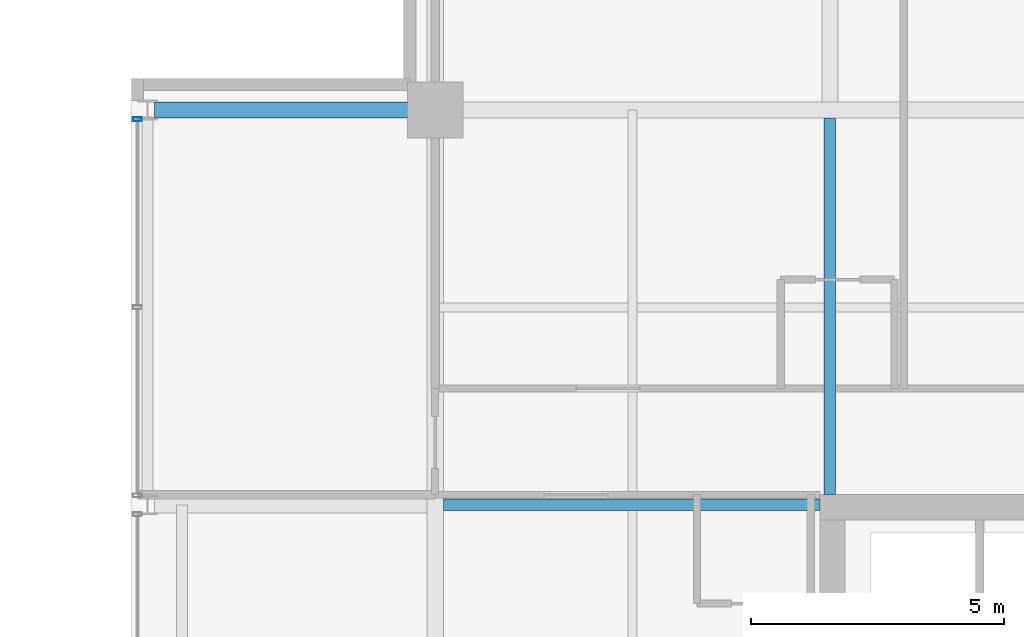
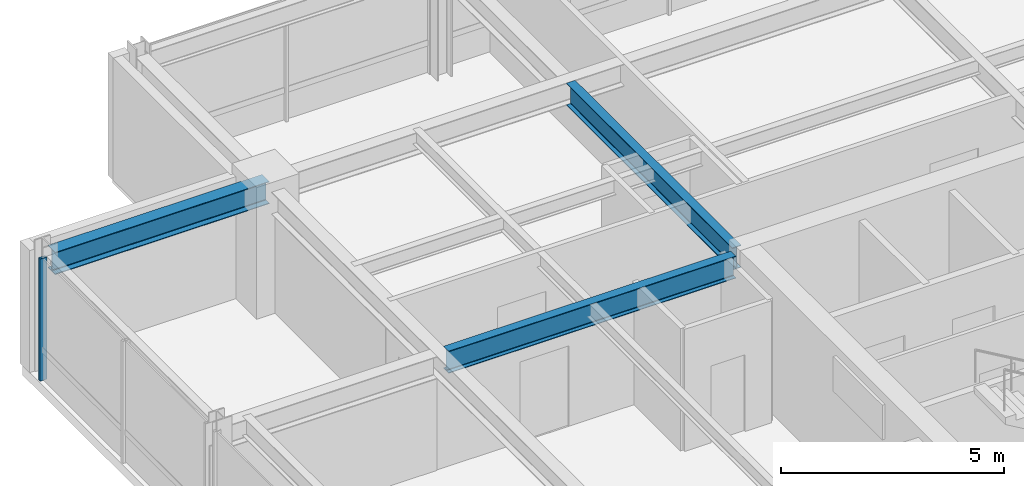
# One storey, part 18 of 32: 3 beams, 1 member, 1 element without a shape of its own.
"""IFC4 building model written with IfcOpenShell, lengths in metres."""

import ifcopenshell
import ifcopenshell.guid

model = None  # the IFC model being written
_history = None  # IfcOwnerHistory: only IFC2X3 demands one
_inside = {}  # id of a spatial element -> (the spatial element, [elements in it])
_under = {}  # id of a project, library or spatial element -> (it, [spatial elements below it])
_declared = {}  # id of a project -> (the project, [libraries it declares])
_typed = {}  # id of a type object -> (the type object, [elements of that type])
_made_of = {}  # id of a material, layer set ... -> (it, [elements and type objects made of it])


def new_model(schema):
    """Start an empty IFC model of exactly this schema.

    Asked for "IFC4X3", IfcOpenShell would pick the latest addendum, in which some entities
    have other attributes; the version numbers below select the first issue.
    IFC2X3 requires an IfcOwnerHistory on every rooted entity: one is made here for all.
    """
    global model, _history
    if schema == "IFC4X3":
        model = ifcopenshell.file(schema_version=(4, 3, 0, 0))
    else:
        model = ifcopenshell.file(schema=schema)
    _inside.clear()
    _under.clear()
    _declared.clear()
    _typed.clear()
    _made_of.clear()
    _history = None
    if model.schema == "IFC2X3":
        org = make("IfcOrganization", Name="unknown")
        user = make(
            "IfcPersonAndOrganization",
            ThePerson=make("IfcPerson", FamilyName="unknown"),
            TheOrganization=org,
        )
        app = make(
            "IfcApplication",
            ApplicationDeveloper=org,
            Version="unknown",
            ApplicationFullName="unknown",
            ApplicationIdentifier="unknown",
        )
        _history = make(
            "IfcOwnerHistory",
            OwningUser=user,
            OwningApplication=app,
            ChangeAction="ADDED",
            CreationDate=0,
        )
    return model


def make(cls, **values):
    """One entity of the class cls with the attributes given. An attribute that is None is left unset."""
    return model.create_entity(
        cls, **{name: value for name, value in values.items() if value is not None}
    )


def rooted(cls, **values):
    """An entity with a GlobalId (a new one), such as an element, a storey or a relation."""
    return make(cls, GlobalId=ifcopenshell.guid.new(), OwnerHistory=_history, **values)


def si_unit(unit_type, name, prefix=None):
    """IfcSIUnit, for example si_unit("LENGTHUNIT", "METRE", prefix="MILLI")."""
    return make("IfcSIUnit", UnitType=unit_type, Prefix=prefix, Name=name)


def assignment(units):
    """IfcUnitAssignment: the units of a project."""
    return None if units is None else make("IfcUnitAssignment", Units=units)


def point(xyz):
    """IfcCartesianPoint."""
    return None if xyz is None else make("IfcCartesianPoint", Coordinates=xyz)


def direction(xyz):
    """IfcDirection."""
    return None if xyz is None else make("IfcDirection", DirectionRatios=xyz)


def frame(location, z_axis=None, x_axis=None):
    """IfcAxis2Placement3D, a coordinate frame: its origin and axes. An axis left out is left unset."""
    return make(
        "IfcAxis2Placement3D",
        Location=point(location),
        Axis=direction(z_axis),
        RefDirection=direction(x_axis),
    )


def frame_2d(location, x_axis=None):
    """IfcAxis2Placement2D, a coordinate frame in the plane: its origin and x axis."""
    return make(
        "IfcAxis2Placement2D", Location=point(location), RefDirection=direction(x_axis)
    )


def origin():
    """The frame at (0, 0, 0) with its axes left unset."""
    return frame((0.0, 0.0, 0.0))


def origin_2d():
    """The frame at (0, 0) in the plane with its x axis left unset."""
    return frame_2d((0.0, 0.0))


def place(relative_to, where):
    """IfcLocalPlacement: puts the frame where relative to a parent placement (None: the world)."""
    return make(
        "IfcLocalPlacement", PlacementRelTo=relative_to, RelativePlacement=where
    )


def context(
    kind, dimensions, precision=None, world=None, true_north=None, identifier=None
):
    """IfcGeometricRepresentationContext, for example the 3D "Model" context."""
    return make(
        "IfcGeometricRepresentationContext",
        ContextIdentifier=identifier,
        ContextType=kind,
        CoordinateSpaceDimension=dimensions,
        Precision=precision,
        WorldCoordinateSystem=world,
        TrueNorth=true_north,
    )


def subcontext(parent, identifier, kind, view, scale=None):
    """IfcGeometricRepresentationSubContext, for example "Body" below "Model"."""
    return make(
        "IfcGeometricRepresentationSubContext",
        ContextIdentifier=identifier,
        ContextType=kind,
        ParentContext=parent,
        TargetScale=scale,
        TargetView=view,
    )


def project(units=None, contexts=None):
    """IfcProject with its units and contexts."""
    return rooted(
        "IfcProject",
        Name="project",
        RepresentationContexts=contexts,
        UnitsInContext=assignment(units),
    )


def spatial(cls, under=None, at=None, **own):
    """A site, building, storey or space (cls), placed at a placement, below another one or the project."""
    s = rooted(cls, ObjectPlacement=at, **own)
    if under is not None:
        _under.setdefault(under.id(), (under, []))[1].append(s)
    return s


def profile(cls, at=None, kind="AREA", **sizes):
    """A parametric profile (cls). Its sizes go by their IFC names, for example OverallWidth=200.0."""
    return make(cls, ProfileType=kind, Position=at, **sizes)


def hollow_rectangle(**sizes):
    """IfcRectangleHollowProfileDef."""
    return profile("IfcRectangleHollowProfileDef", **sizes)


def i_section(**sizes):
    """IfcIShapeProfileDef."""
    return profile("IfcIShapeProfileDef", **sizes)


def extrude(swept, where, along, depth):
    """IfcExtrudedAreaSolid: the profile swept, set in the frame where, extruded along a direction by depth."""
    return make(
        "IfcExtrudedAreaSolid",
        SweptArea=swept,
        Position=where,
        ExtrudedDirection=direction(along),
        Depth=depth,
    )


def shape(context_of_items, identifier, shape_type, items):
    """IfcShapeRepresentation: the items that make up one representation, for example the "Body"."""
    return make(
        "IfcShapeRepresentation",
        ContextOfItems=context_of_items,
        RepresentationIdentifier=identifier,
        RepresentationType=shape_type,
        Items=items,
    )


def material(Name=None, Category=None):
    """IfcMaterial."""
    return make("IfcMaterial", Name=Name, Category=Category)


def layer(
    of_material, thickness, ventilated=None, Name=None, Category=None, Priority=None
):
    """IfcMaterialLayer: one layer of a wall or slab, of a material (None: an air gap)."""
    return make(
        "IfcMaterialLayer",
        Material=of_material,
        LayerThickness=thickness,
        IsVentilated=ventilated,
        Name=Name,
        Category=Category,
        Priority=Priority,
    )


def layer_set(layers, Name=None):
    """IfcMaterialLayerSet."""
    return make("IfcMaterialLayerSet", MaterialLayers=layers, LayerSetName=Name)


def material_profile(
    of_material, cross_section, Name=None, Category=None, Priority=None
):
    """IfcMaterialProfile: a cross section and its material."""
    return make(
        "IfcMaterialProfile",
        Name=Name,
        Material=of_material,
        Profile=cross_section,
        Priority=Priority,
        Category=Category,
    )


def profile_set(profiles, Name=None, composite=None):
    """IfcMaterialProfileSet."""
    return make(
        "IfcMaterialProfileSet",
        Name=Name,
        MaterialProfiles=profiles,
        CompositeProfile=composite,
    )


def made_of(thing, what):
    """Note that an element or type object is made of a material, layer set ...; save() writes the relation."""
    if what is not None:
        _made_of.setdefault(what.id(), (what, []))[1].append(thing)
    return thing


def type_object(cls, material=None, **own):
    """A type object (cls), such as IfcWallType, which elements share."""
    return made_of(rooted(cls, **own), material)


def element(
    cls,
    number,
    at=None,
    inside=None,
    cuts=None,
    type_object=None,
    material=None,
    context=None,
    identifier="Body",
    shape_type=None,
    held_by="IfcProductDefinitionShape",
    body=None,
    shapes=None,
    **own,
):
    """One element of the class cls, such as IfcWall. Its Tag is "e" and its number.

    at: its placement. inside: the storey or other place that contains it. cuts: it is an
    opening in that element (IfcRelVoidsElement). A single representation is given by context,
    identifier, shape_type and body (its items); several are given by shapes. held_by: the class
    of the entity that holds the representations. save() writes the other relations.
    """
    e = rooted(cls, Tag="e%d" % number, ObjectPlacement=at, **own)
    if body is not None:
        shapes = [shape(context, identifier, shape_type, body)]
    if shapes is not None:
        e.Representation = make(held_by, Representations=shapes)
    if inside is not None:
        _inside.setdefault(inside.id(), (inside, []))[1].append(e)
    if cuts is not None:
        rooted(
            "IfcRelVoidsElement", RelatingBuildingElement=cuts, RelatedOpeningElement=e
        )
    if type_object is not None:
        _typed.setdefault(type_object.id(), (type_object, []))[1].append(e)
    return made_of(e, material)


def aggregate(whole, parts):
    """IfcRelAggregates: a whole, such as a stair, and the parts it consists of."""
    return rooted("IfcRelAggregates", RelatingObject=whole, RelatedObjects=parts)


def save(model, path):
    """Write the relations noted so far, then the file.

    IfcRelAggregates (storeys below a building ...), IfcRelContainedInSpatialStructure (elements
    in a storey), IfcRelDefinesByType, IfcRelAssociatesMaterial and IfcRelDeclares: one each for
    every whole, place, type object, material and project.
    """
    for whole, parts in _under.values():
        aggregate(whole, parts)
    for where, things in _inside.values():
        rooted(
            "IfcRelContainedInSpatialStructure",
            RelatedElements=things,
            RelatingStructure=where,
        )
    for kind, things in _typed.values():
        rooted("IfcRelDefinesByType", RelatedObjects=things, RelatingType=kind)
    for what, things in _made_of.values():
        rooted("IfcRelAssociatesMaterial", RelatedObjects=things, RelatingMaterial=what)
    for by, libraries in _declared.values():
        rooted("IfcRelDeclares", RelatingContext=by, RelatedDefinitions=libraries)
    model.write(path)


model = new_model("IFC4")

# Units and contexts
model_context = context("Model", 3, precision=1e-05, world=origin(), true_north=direction((0.0, 1.0)))
body_context = subcontext(model_context, "Body", "Model", "MODEL_VIEW")
ifc_project = project(units=[si_unit("LENGTHUNIT", "METRE"), si_unit("AREAUNIT", "SQUARE_METRE"), si_unit("VOLUMEUNIT", "CUBIC_METRE"), si_unit("PLANEANGLEUNIT", "RADIAN"), si_unit("MASSUNIT", "GRAM", prefix="KILO")], contexts=[model_context])

# Site, building, storey
site_placement = place(None, origin())
site = spatial("IfcSite", under=ifc_project, at=site_placement, CompositionType="ELEMENT")
building_placement = place(site_placement, origin())
building = spatial("IfcBuilding", under=site, at=building_placement, Name="Drelvath Grand Hotel", CompositionType="ELEMENT")
storey_placement = place(building_placement, frame((0.0, 0.0, 233.89990234375)))
storey = spatial("IfcBuildingStorey", under=building, at=storey_placement, Name="L61", CompositionType="ELEMENT", Elevation=233.89990234375)

# Curtain wall, member
ifc_material_1 = material(Name="Platinum-Mist Anodised Aluminium Frame", Category="aluminium")
ifc_layer = layer(ifc_material_1, 0.199951171875)
ifc_layer_set = layer_set([ifc_layer], Name="Platinum-Mist Anodised Aluminium Frame")
curtain_wall_type = type_object("IfcCurtainWallType", Name="Stick Curtain Wall CW-05 Platinum Mist High-Rise", PredefinedType="NOTDEFINED", material=ifc_layer_set)
curtain_wall_placement = place(storey_placement, origin())
curtain_wall = element("IfcCurtainWall", 1, at=curtain_wall_placement, inside=storey, type_object=curtain_wall_type, Name="L61 CW-05 Curtain Wall CW05-L61-WN2", PredefinedType="NOTDEFINED")
ifc_material_profile_1 = material_profile(ifc_material_1, hollow_rectangle(XDim=0.074951171875, YDim=0.179931640625, WallThickness=0.0048828125, at=origin_2d()), Name="HSS180X75X5")
ifc_profile_set_1 = profile_set([ifc_material_profile_1], Name="Platinum-Mist Anodised Aluminium Frame")
member_type = type_object("IfcMemberType", Name="Curtain Wall Vertical Mullion CW-05 HSS180X75X5", PredefinedType="MULLION", material=ifc_profile_set_1)
member_placement = place(storey_placement, frame((-22.080078125, 43.0146484375, 0.0), z_axis=(0.0, 0.0, 1.0), x_axis=(0.0, 1.0, 0.0)))
member = element("IfcMember", 2, at=member_placement, type_object=member_type, Name="CW05-L61-WN2 Mullion 3", PredefinedType="MULLION", context=body_context, shape_type="SweptSolid", body=[
    extrude(hollow_rectangle(XDim=0.074951171875, YDim=0.179931640625, WallThickness=0.0048828125, at=origin_2d()), origin(), (0.0, 0.0, 1.0), 3.340087890625),
])
aggregate(curtain_wall, [member])

# Beams
ifc_material_2 = material(Name="Steel ASTM A992 Gr 50", Category="steel")
ifc_material_profile_2 = material_profile(ifc_material_2, i_section(OverallWidth=0.323974609375, OverallDepth=0.611083984375, WebThickness=0.0126953125, FlangeThickness=0.01904296875, FilletRadius=0.02197265625, at=origin_2d()), Name="W24X104")
ifc_profile_set_2 = profile_set([ifc_material_profile_2], Name="Steel ASTM A992 Gr 50")
beam_type_1 = type_object("IfcBeamType", Name="Primary Floor Girder W24X104", PredefinedType="BEAM", material=ifc_profile_set_2)
beam_placement = place(storey_placement, frame((-21.739990234375, 43.199951171875, 3.034423828125), z_axis=(1.0, 0.0, 0.0), x_axis=(0.0, 1.0, 0.0)))
element("IfcBeam", 3, at=beam_placement, inside=storey, type_object=beam_type_1, Name="L61 West Grid Girder G", PredefinedType="BEAM", context=body_context, shape_type="SweptSolid", body=[
    extrude(i_section(OverallWidth=0.323974609375, OverallDepth=0.611083984375, WebThickness=0.0126953125, FlangeThickness=0.01904296875, FilletRadius=0.02197265625, at=origin_2d()), origin(), (0.0, 0.0, 1.0), 5.5400390625),
])
ifc_material_profile_3 = material_profile(ifc_material_2, i_section(OverallWidth=0.228271484375, OverallDepth=0.607666015625, WebThickness=0.01123046875, FlangeThickness=0.017333984375, FilletRadius=0.02001953125, at=origin_2d()), Name="W24X76")
ifc_profile_set_3 = profile_set([ifc_material_profile_3], Name="Steel ASTM A992 Gr 50")
beam_type_2 = type_object("IfcBeamType", Name="Primary Floor Girder W24X76", PredefinedType="BEAM", material=ifc_profile_set_3)
for number, where, z_axis, x_axis, name in (
    (4, (-16.0380859375, 35.39990234375, 3.036376953125), (1.0, 0.0, 0.0), (0.0, 1.0, 0.0), "L61 West Core Tie F"),
    (5, (-8.39990234375, 35.60009765625, 3.036376953125), (0.0, 1.0, 0.0), (-1.0, 0.0, 0.0), "L61 North Core Tie 4"),
):
    element("IfcBeam", number, at=place(storey_placement, frame(where, z_axis=z_axis, x_axis=x_axis)), inside=storey, type_object=beam_type_2, Name=name, PredefinedType="BEAM", context=body_context, shape_type="SweptSolid", body=[
        extrude(i_section(OverallWidth=0.228271484375, OverallDepth=0.607666015625, WebThickness=0.01123046875, FlangeThickness=0.017333984375, FilletRadius=0.02001953125, at=origin_2d()), origin(), (0.0, 0.0, 1.0), 7.43798828125),
    ])

save(model, "model.ifc")
